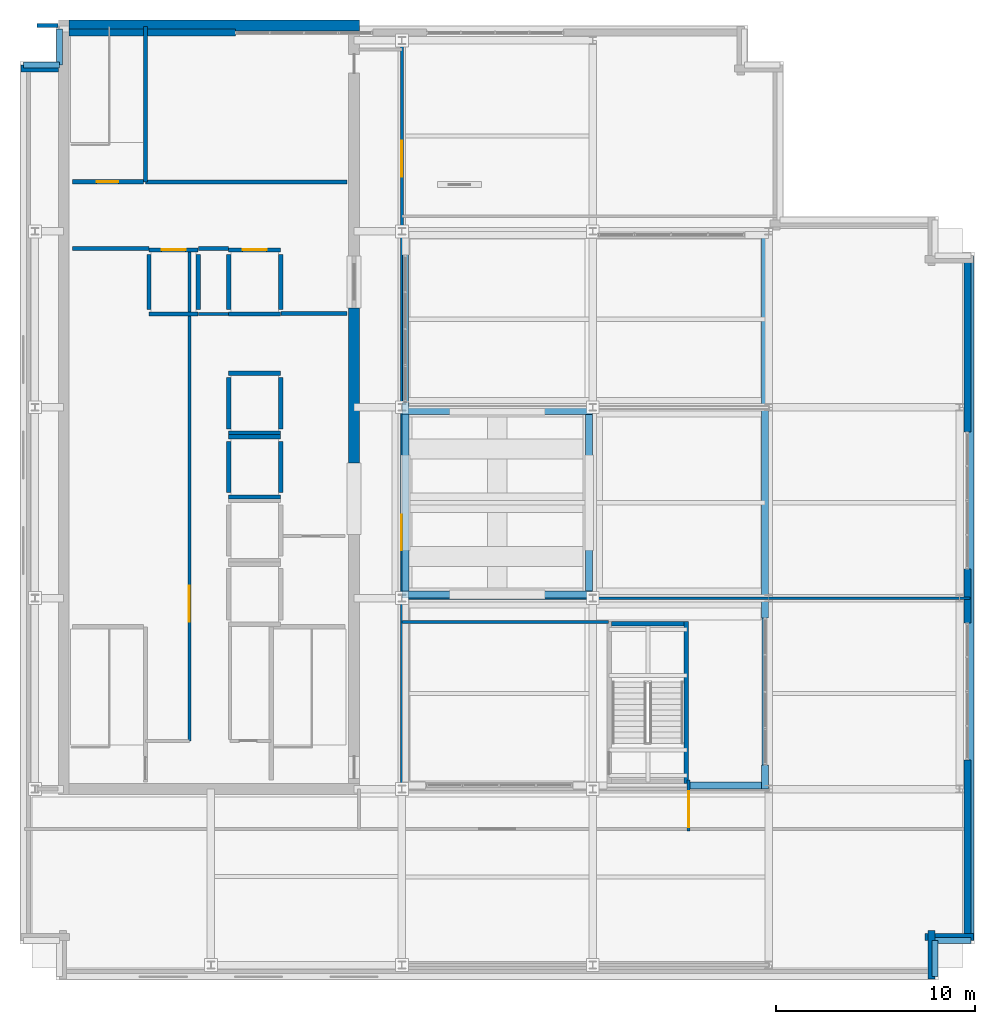
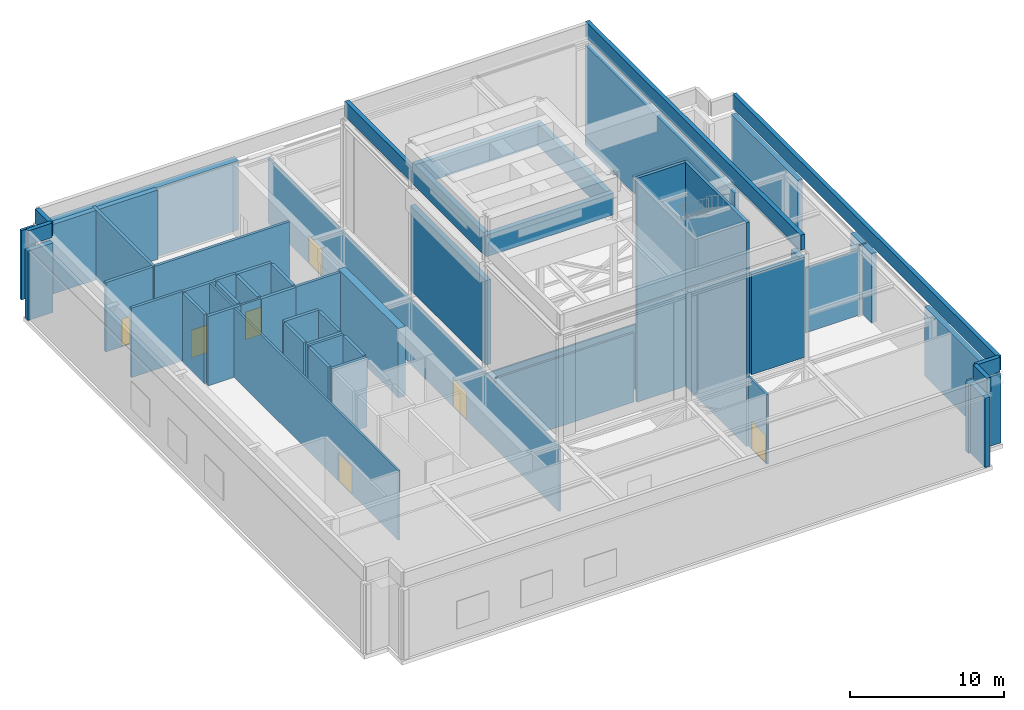
# One storey, part 6 of 17: 56 walls, 7 doors, 7 openings.
"""IFC4 building model written with IfcOpenShell, lengths in metres."""

from ifc_helpers import new_model, si_unit, direction, frame, frame_2d, origin, place, context, subcontext, project, spatial, rectangle, extrude, material, layer, layer_set, type_object, element, fill, save


model = new_model("IFC4")

# Units and contexts
model_context = context("Model", 3, precision=1e-05, world=origin(), true_north=direction((0.0, 1.0)))
body_context = subcontext(model_context, "Body", "Model", "MODEL_VIEW")
ifc_project = project(units=[si_unit("LENGTHUNIT", "METRE"), si_unit("AREAUNIT", "SQUARE_METRE"), si_unit("VOLUMEUNIT", "CUBIC_METRE"), si_unit("PLANEANGLEUNIT", "RADIAN"), si_unit("MASSUNIT", "GRAM", prefix="KILO")], contexts=[model_context])

# Site, building, storey
site_placement = place(None, origin())
site = spatial("IfcSite", under=ifc_project, at=site_placement, CompositionType="ELEMENT")
building_placement = place(site_placement, origin())
building = spatial("IfcBuilding", under=site, at=building_placement, Name="Norrvale University Quadrangle", CompositionType="ELEMENT")
storey_placement = place(building_placement, frame((0.0, 0.0, 308.0)))
storey = spatial("IfcBuildingStorey", under=building, at=storey_placement, Name="L78", CompositionType="ELEMENT", Elevation=308.0)

# Walls
ifc_material_1 = material(Name="Concrete C60/75", Category="concrete")
ifc_layer_1 = layer(ifc_material_1, 0.550048828125, Name="Concrete C60/75")
ifc_layer_set_1 = layer_set([ifc_layer_1], Name="Concrete C60/75")
wall_type_1 = type_object("IfcWallType", Name="Wall Core 550", PredefinedType="SHEAR", material=ifc_layer_set_1)
wall_1_placement = place(storey_placement, frame((2.47509765625, 48.0, 0.0), z_axis=(0.0, 0.0, 1.0), x_axis=(1.0, 0.0, 0.0)))
element("IfcWall", 1, at=wall_1_placement, inside=storey, type_object=wall_type_1, Name="Tower Core Shear Wall L78-N", PredefinedType="SHEAR", context=body_context, shape_type="SweptSolid", body=[
    extrude(rectangle(XDim=14.599853515625, YDim=0.550048828125, at=frame_2d((7.2998046875, 0.0))), origin(), (0.0, 0.0, 1.0), 5.52001953125),
])
wall_2_placement = place(storey_placement, frame((16.800048828125, 26.0, 0.0), z_axis=(0.0, 0.0, 1.0), x_axis=(0.0, 1.0, 0.0)))
element("IfcWall", 2, at=wall_2_placement, inside=storey, type_object=wall_type_1, Name="Tower Core Shear Wall L78-E2", PredefinedType="SHEAR", context=body_context, shape_type="SweptSolid", body=[
    extrude(rectangle(XDim=7.800048828125, YDim=0.550048828125, at=frame_2d((3.89990234375, 0.0))), origin(), (0.0, 0.0, 1.0), 5.52001953125),
])
ifc_material_2 = material(Name="Red Manganese Brick Masonry", Category="masonry")
ifc_layer_2 = layer(ifc_material_2, 0.360107421875, Name="Red Manganese Brick Masonry")
ifc_layer_set_2 = layer_set([ifc_layer_2], Name="Red Manganese Brick Masonry")
wall_type_2 = type_object("IfcWallType", Name="Wall Crown Brick 360", PredefinedType="SOLIDWALL", material=ifc_layer_set_2)
for number, where, z_axis, x_axis, name in (
    (3, (45.840087890625, 0.0400390625, 0.0), (0.0, 0.0, 1.0), (0.0, 1.0, 0.0), "Exterior Brick Facade Wall L78-02.1"),
    (4, (45.52001953125, 2.159912109375, 0.0), (0.0, 0.0, 1.0), (1.0, 0.0, 0.0), "Exterior Brick Facade Wall L78-03.1"),
):
    element("IfcWall", number, at=place(storey_placement, frame(where, z_axis=z_axis, x_axis=x_axis)), inside=storey, type_object=wall_type_2, Name=name, PredefinedType="SOLIDWALL", context=body_context, shape_type="SweptSolid", body=[
        extrude(rectangle(XDim=2.43994140625, YDim=0.360107421875, at=frame_2d((1.219970703125, 0.0))), origin(), (0.0, 0.0, 1.0), 5.52001953125),
    ])
wall_3_placement = place(storey_placement, frame((47.639892578125, 2.159912109375, 0.0), z_axis=(0.0, 0.0, 1.0), x_axis=(0.0, 1.0, 0.0)))
element("IfcWall", 5, at=wall_3_placement, inside=storey, type_object=wall_type_2, Name="Crown Brick Pier 04.1", PredefinedType="SOLIDWALL", context=body_context, shape_type="SweptSolid", body=[
    extrude(rectangle(XDim=8.900146484375, YDim=0.360107421875, at=frame_2d((4.4501953125, 0.0))), origin(), (0.0, 0.0, 1.0), 5.52001953125),
])
wall_4_placement = place(storey_placement, frame((47.639892578125, 17.9599609375, 0.0), z_axis=(0.0, 0.0, 1.0), x_axis=(0.0, 1.0, 0.0)))
element("IfcWall", 6, at=wall_4_placement, inside=storey, type_object=wall_type_2, Name="Crown Brick Pier 04.2", PredefinedType="SOLIDWALL", context=body_context, shape_type="SweptSolid", body=[
    extrude(rectangle(XDim=2.699951171875, YDim=0.360107421875, at=frame_2d((1.35009765625, 0.0))), origin(), (0.0, 0.0, 1.0), 5.52001953125),
])
wall_5_placement = place(storey_placement, frame((47.639892578125, 27.56005859375, 0.0), z_axis=(0.0, 0.0, 1.0), x_axis=(0.0, 1.0, 0.0)))
element("IfcWall", 7, at=wall_5_placement, inside=storey, type_object=wall_type_2, Name="Crown Brick Pier 04.3", PredefinedType="SOLIDWALL", context=body_context, shape_type="SweptSolid", body=[
    extrude(rectangle(XDim=8.679931640625, YDim=0.360107421875, at=frame_2d((4.33984375, 0.0))), origin(), (0.0, 0.0, 1.0), 5.52001953125),
])
wall_6_placement = place(storey_placement, frame((10.840087890625, 47.639892578125, 0.0), z_axis=(0.0, 0.0, 1.0), x_axis=(-1.0, 0.0, 0.0)))
element("IfcWall", 8, at=wall_6_placement, inside=storey, type_object=wall_type_2, Name="Crown Brick Pier 11.3", PredefinedType="SOLIDWALL", context=body_context, shape_type="SweptSolid", body=[
    extrude(rectangle(XDim=8.364990234375, YDim=0.360107421875, at=frame_2d((4.1826171875, 0.0))), origin(), (0.0, 0.0, 1.0), 5.52001953125),
])
wall_7_placement = place(storey_placement, frame((1.925048828125, 45.840087890625, 0.0), z_axis=(0.0, 0.0, 1.0), x_axis=(-1.0, 0.0, 0.0)))
element("IfcWall", 9, at=wall_7_placement, inside=storey, type_object=wall_type_2, Name="Exterior Brick Facade Wall L78-13.1", PredefinedType="SOLIDWALL", context=body_context, shape_type="SweptSolid", body=[
    extrude(rectangle(XDim=1.885009765625, YDim=0.360107421875, at=frame_2d((0.9423828125, 0.0))), origin(), (0.0, 0.0, 1.0), 5.52001953125),
])
wall_8_placement = place(storey_placement, frame((33.6298828125, 9.780029296875, 5.800048828125), z_axis=(0.0, 0.0, 1.0), x_axis=(1.0, 0.0, 0.0)))
element("IfcWall", 10, at=wall_8_placement, inside=storey, type_object=wall_type_2, Name="Crown Lantern Brick Pier S2B", PredefinedType="SOLIDWALL", context=body_context, shape_type="SweptSolid", body=[
    extrude(rectangle(XDim=4.02001953125, YDim=0.360107421875, at=frame_2d((2.010009765625, 0.0))), origin(), (0.0, 0.0, 1.0), 7.9638671875),
])
wall_9_placement = place(storey_placement, frame((37.469970703125, 9.60009765625, 5.800048828125), z_axis=(0.0, 0.0, 1.0), x_axis=(0.0, 1.0, 0.0)))
element("IfcWall", 11, at=wall_9_placement, inside=storey, type_object=wall_type_2, Name="Crown Lantern Brick Pier E1", PredefinedType="SOLIDWALL", context=body_context, shape_type="SweptSolid", body=[
    extrude(rectangle(XDim=1.199951171875, YDim=0.360107421875, at=frame_2d((0.60009765625, 0.0))), origin(), (0.0, 0.0, 1.0), 7.9638671875),
])
wall_10_placement = place(storey_placement, frame((37.469970703125, 18.199951171875, 5.800048828125), z_axis=(0.0, 0.0, 1.0), x_axis=(0.0, 1.0, 0.0)))
element("IfcWall", 12, at=wall_10_placement, inside=storey, type_object=wall_type_2, Name="Crown Lantern Brick Pier E2", PredefinedType="SOLIDWALL", context=body_context, shape_type="SweptSolid", body=[
    extrude(rectangle(XDim=19.449951171875, YDim=0.360107421875, at=frame_2d((9.72509765625, 0.0))), origin(), (0.0, 0.0, 1.0), 7.9638671875),
])
wall_11_placement = place(storey_placement, frame((19.3798828125, 29.050048828125, 5.800048828125), z_axis=(0.0, 0.0, 1.0), x_axis=(0.0, -1.0, 0.0)))
element("IfcWall", 13, at=wall_11_placement, inside=storey, type_object=wall_type_2, Name="Crown Lantern Brick Pier W2", PredefinedType="SOLIDWALL", context=body_context, shape_type="SweptSolid", body=[
    extrude(rectangle(XDim=9.85009765625, YDim=0.360107421875, at=frame_2d((4.925048828125, 0.0))), origin(), (0.0, 0.0, 1.0), 6.719970703125),
])
for number, where, z_axis, x_axis, name in (
    (14, (19.199951171875, 19.3798828125, 14.39990234375), (0.0, 0.0, 1.0), (1.0, 0.0, 0.0), "Crown Spire Plinth Masonry Wall S"),
    (15, (28.6201171875, 19.199951171875, 14.39990234375), (0.0, 0.0, 1.0), (0.0, 1.0, 0.0), "Crown Spire Plinth Masonry Wall E"),
    (16, (28.800048828125, 28.6201171875, 14.39990234375), (0.0, 0.0, 1.0), (-1.0, 0.0, 0.0), "Crown Spire Plinth Masonry Wall N"),
    (17, (19.3798828125, 28.800048828125, 14.39990234375), (0.0, 0.0, 1.0), (0.0, -1.0, 0.0), "Crown Spire Plinth Masonry Wall W"),
):
    element("IfcWall", number, at=place(storey_placement, frame(where, z_axis=z_axis, x_axis=x_axis)), inside=storey, type_object=wall_type_2, Name=name, PredefinedType="SOLIDWALL", context=body_context, shape_type="SweptSolid", body=[
        extrude(rectangle(XDim=9.60009765625, YDim=0.360107421875, at=frame_2d((4.800048828125, 0.0))), origin(), (0.0, 0.0, 1.0), 1.72021484375),
    ])
ifc_material_3 = material(Name="Standard Academic Gypsum Partition")
ifc_layer_3 = layer(ifc_material_3, 0.125, Name="Standard Academic Gypsum Partition")
ifc_layer_set_3 = layer_set([ifc_layer_3], Name="Standard Academic Gypsum Partition")
wall_type_3 = type_object("IfcWallType", Name="Wall Gypsum Academic 125", PredefinedType="PARTITIONING", material=ifc_layer_set_3)
wall_12_placement = place(storey_placement, frame((19.199951171875, 19.199951171875, 0.0), z_axis=(0.0, 0.0, 1.0), x_axis=(1.0, 0.0, 0.0)))
element("IfcWall", 18, at=wall_12_placement, inside=storey, type_object=wall_type_3, Name="Interior Partition WL-L78-SUB-N", PredefinedType="PARTITIONING", context=body_context, shape_type="SweptSolid", body=[
    extrude(rectangle(XDim=28.050048828125, YDim=0.125, at=frame_2d((14.02490234375, 0.0))), origin(), (0.0, 0.0, 1.0), 5.1640625),
])
wall_13_placement = place(storey_placement, frame((47.25, 19.199951171875, 0.0), z_axis=(0.0, 0.0, 1.0), x_axis=(1.0, 0.0, 0.0)))
element("IfcWall", 19, at=wall_13_placement, inside=storey, type_object=wall_type_3, Name="Interior Partition WL-L78-SUB-N-B2", PredefinedType="PARTITIONING", context=body_context, shape_type="SweptSolid", body=[
    extrude(rectangle(XDim=0.530029296875, YDim=0.125, at=frame_2d((0.26513671875, 0.0))), origin(), (0.0, 0.0, 1.0), 5.52001953125),
])
ifc_material_4 = material(Name="Fire-Rated Gypsum Stud Partition")
ifc_layer_4 = layer(ifc_material_4, 0.14990234375, Name="Fire-Rated Gypsum Stud Partition")
ifc_layer_set_4 = layer_set([ifc_layer_4], Name="Fire-Rated Gypsum Stud Partition")
wall_type_4 = type_object("IfcWallType", Name="Wall Gypsum Corridor 150", PredefinedType="PARTITIONING", material=ifc_layer_set_4)
wall_14_placement = place(storey_placement, frame((8.965087890625, 33.489990234375, 0.0), z_axis=(0.0, 0.0, 1.0), x_axis=(1.0, 0.0, 0.0)))
element("IfcWall", 20, at=wall_14_placement, inside=storey, type_object=wall_type_4, Name="Interior Partition WL-L78-LL3", PredefinedType="PARTITIONING", context=body_context, shape_type="SweptSolid", body=[
    extrude(rectangle(XDim=1.52001953125, YDim=0.14990234375, at=frame_2d((0.760009765625, 0.0))), origin(), (0.0, 0.0, 1.0), 5.52001953125),
])

# Wall, opening, door
wall_15_placement = place(storey_placement, frame((8.52001953125, 12.02001953125, 0.0), z_axis=(0.0, 0.0, 1.0), x_axis=(0.0, 1.0, 0.0)))
wall_15 = element("IfcWall", 21, at=wall_15_placement, inside=storey, type_object=wall_type_4, Name="Interior Partition WL-L78-REC-E", PredefinedType="PARTITIONING", context=body_context, shape_type="SweptSolid", body=[
    extrude(rectangle(XDim=24.760009765625, YDim=0.14990234375, at=frame_2d((12.3798828125, 0.0))), origin(), (0.0, 0.0, 1.0), 5.52001953125),
])
opening_1_placement = place(wall_15_placement, frame((6.0, 0.0, 0.0)))
opening_1 = element("IfcOpeningElement", 22, at=opening_1_placement, cuts=wall_15, Name="Opening D03", PredefinedType="OPENING", context=body_context, shape_type="SweptSolid", body=[
    extrude(rectangle(XDim=1.800048828125, YDim=2.199951171875, at=frame_2d((0.89990234375, 1.10009765625))), frame((0.0, 0.0869140625, 0.0), z_axis=(0.0, -1.0, 0.0), x_axis=(1.0, 0.0, 0.0)), (0.0, 0.0, 1.0), 0.173828125),
])
ifc_material_5 = material(Name="Hollow Steel 350W Fire Door", Category="steel")
door_type_1 = type_object("IfcDoorType", Name="Door Fire Lobby 1800x2200", OperationType="DOUBLE_DOOR_SINGLE_SWING", PredefinedType="DOOR", material=ifc_material_5)
door_1_placement = place(opening_1_placement, origin())
door_1 = element("IfcDoor", 23, at=door_1_placement, inside=storey, type_object=door_type_1, Name="Door Fire Lobby 1800x2200 DR-L78-RECP", OperationType="DOUBLE_DOOR_SINGLE_SWING", OverallHeight=2.199951171875, OverallWidth=1.800048828125, PredefinedType="DOOR", context=body_context, shape_type="SweptSolid", body=[
    extrude(rectangle(XDim=1.800048828125, YDim=2.199951171875, at=frame_2d((0.89990234375, 1.10009765625))), frame((0.0, 0.02490234375, 0.0), z_axis=(0.0, -1.0, 0.0), x_axis=(1.0, 0.0, 0.0)), (0.0, 0.0, 1.0), 0.050048828125),
])
fill(opening_1, door_1)

wall_16_placement = place(storey_placement, frame((33.6201171875, 7.5, 0.0), z_axis=(0.0, 0.0, 1.0), x_axis=(0.0, 1.0, 0.0)))
wall_16 = element("IfcWall", 24, at=wall_16_placement, inside=storey, type_object=wall_type_4, Name="Interior Partition WL-L78-CHW", PredefinedType="PARTITIONING", context=body_context, shape_type="SweptSolid", body=[
    extrude(rectangle(XDim=2.550048828125, YDim=0.14990234375, at=frame_2d((1.27490234375, 0.0))), origin(), (0.0, 0.0, 1.0), 5.52001953125),
])
opening_2_placement = place(wall_16_placement, frame((0.179931640625, 0.0, 0.0)))
opening_2 = element("IfcOpeningElement", 25, at=opening_2_placement, cuts=wall_16, Name="Opening D03", PredefinedType="OPENING", context=body_context, shape_type="SweptSolid", body=[
    extrude(rectangle(XDim=1.800048828125, YDim=2.199951171875, at=frame_2d((0.89990234375, 1.10009765625))), frame((0.0, 0.0869140625, 0.0), z_axis=(0.0, -1.0, 0.0), x_axis=(1.0, 0.0, 0.0)), (0.0, 0.0, 1.0), 0.173828125),
])
door_2_placement = place(opening_2_placement, origin())
door_2 = element("IfcDoor", 26, at=door_2_placement, inside=storey, type_object=door_type_1, Name="Door Fire Lobby 1800x2200 DR-L78-CHIL2", OperationType="DOUBLE_DOOR_SINGLE_SWING", OverallHeight=2.199951171875, OverallWidth=1.800048828125, PredefinedType="DOOR", context=body_context, shape_type="SweptSolid", body=[
    extrude(rectangle(XDim=1.800048828125, YDim=2.199951171875, at=frame_2d((0.89990234375, 1.10009765625))), frame((0.0, 0.02490234375, 0.0), z_axis=(0.0, -1.0, 0.0), x_axis=(1.0, 0.0, 0.0)), (0.0, 0.0, 1.0), 0.050048828125),
])
fill(opening_2, door_2)

# Wall
wall_17_placement = place(storey_placement, frame((19.199951171875, 18.0, 0.0), z_axis=(0.0, 0.0, 1.0), x_axis=(1.0, 0.0, 0.0)))
element("IfcWall", 27, at=wall_17_placement, inside=storey, type_object=wall_type_4, Name="Interior Partition WL-L78-SUBS", PredefinedType="PARTITIONING", context=body_context, shape_type="SweptSolid", body=[
    extrude(rectangle(XDim=10.400146484375, YDim=0.14990234375, at=frame_2d((5.2001953125, 0.0))), origin(), (0.0, 0.0, 1.0), 5.52001953125),
])

# Wall, openings, doors
wall_18_placement = place(storey_placement, frame((19.199951171875, 9.60009765625, 0.0), z_axis=(0.0, 0.0, 1.0), x_axis=(0.0, 1.0, 0.0)))
wall_18 = element("IfcWall", 28, at=wall_18_placement, inside=storey, type_object=wall_type_4, Name="Interior Partition WL-L78-PE-W", PredefinedType="PARTITIONING", context=body_context, shape_type="SweptSolid", body=[
    extrude(rectangle(XDim=37.849853515625, YDim=0.14990234375, at=frame_2d((18.9248046875, 0.0))), origin(), (0.0, 0.0, 1.0), 5.1640625),
])
opening_3_placement = place(wall_18_placement, frame((12.0, 0.0, 0.0)))
opening_3 = element("IfcOpeningElement", 29, at=opening_3_placement, cuts=wall_18, Name="Opening D03", PredefinedType="OPENING", context=body_context, shape_type="SweptSolid", body=[
    extrude(rectangle(XDim=1.800048828125, YDim=2.199951171875, at=frame_2d((0.89990234375, 1.10009765625))), frame((0.0, 0.0869140625, 0.0), z_axis=(0.0, -1.0, 0.0), x_axis=(1.0, 0.0, 0.0)), (0.0, 0.0, 1.0), 0.173828125),
])
opening_4_placement = place(wall_18_placement, frame((30.800048828125, 0.0, 0.0)))
opening_4 = element("IfcOpeningElement", 30, at=opening_4_placement, cuts=wall_18, Name="Opening D03", PredefinedType="OPENING", context=body_context, shape_type="SweptSolid", body=[
    extrude(rectangle(XDim=1.800048828125, YDim=2.199951171875, at=frame_2d((0.89990234375, 1.10009765625))), frame((0.0, 0.0869140625, 0.0), z_axis=(0.0, -1.0, 0.0), x_axis=(1.0, 0.0, 0.0)), (0.0, 0.0, 1.0), 0.173828125),
])
door_3_placement = place(opening_3_placement, origin())
door_3 = element("IfcDoor", 31, at=door_3_placement, inside=storey, type_object=door_type_1, Name="Door Fire Lobby 1800x2200 DR-L78-AHU", OperationType="DOUBLE_DOOR_SINGLE_SWING", OverallHeight=2.199951171875, OverallWidth=1.800048828125, PredefinedType="DOOR", context=body_context, shape_type="SweptSolid", body=[
    extrude(rectangle(XDim=1.800048828125, YDim=2.199951171875, at=frame_2d((0.89990234375, 1.10009765625))), frame((0.0, 0.02490234375, 0.0), z_axis=(0.0, -1.0, 0.0), x_axis=(1.0, 0.0, 0.0)), (0.0, 0.0, 1.0), 0.050048828125),
])
fill(opening_3, door_3)
door_4_placement = place(opening_4_placement, origin())
door_4 = element("IfcDoor", 32, at=door_4_placement, inside=storey, type_object=door_type_1, Name="Door Fire Lobby 1800x2200 DR-L78-CFAN", OperationType="DOUBLE_DOOR_SINGLE_SWING", OverallHeight=2.199951171875, OverallWidth=1.800048828125, PredefinedType="DOOR", context=body_context, shape_type="SweptSolid", body=[
    extrude(rectangle(XDim=1.800048828125, YDim=2.199951171875, at=frame_2d((0.89990234375, 1.10009765625))), frame((0.0, 0.02490234375, 0.0), z_axis=(0.0, -1.0, 0.0), x_axis=(1.0, 0.0, 0.0)), (0.0, 0.0, 1.0), 0.050048828125),
])
fill(opening_4, door_4)

# Walls
ifc_material_6 = material(Name="Concrete Blockwork 20 MPa Rated Wall", Category="masonry")
ifc_layer_5 = layer(ifc_material_6, 0.199951171875, Name="Concrete Blockwork 20 MPa Rated Wall")
ifc_layer_set_5 = layer_set([ifc_layer_5], Name="Concrete Blockwork 20 MPa Rated Wall")
wall_type_5 = type_object("IfcWallType", Name="Wall Lobby 200", PredefinedType="SOLIDWALL", material=ifc_layer_set_5)
wall_19_placement = place(storey_placement, frame((2.64990234375, 36.780029296875, 0.0), z_axis=(0.0, 0.0, 1.0), x_axis=(1.0, 0.0, 0.0)))
element("IfcWall", 33, at=wall_19_placement, inside=storey, type_object=wall_type_5, Name="Interior Partition WL-L78-FF1", PredefinedType="SOLIDWALL", context=body_context, shape_type="SweptSolid", body=[
    extrude(rectangle(XDim=3.830078125, YDim=0.199951171875, at=frame_2d((1.9150390625, 0.0))), origin(), (0.0, 0.0, 1.0), 5.52001953125),
])
wall_20_placement = place(storey_placement, frame((8.969970703125, 36.780029296875, 0.0), z_axis=(0.0, 0.0, 1.0), x_axis=(1.0, 0.0, 0.0)))
element("IfcWall", 34, at=wall_20_placement, inside=storey, type_object=wall_type_5, Name="Interior Partition WL-L78-FF2", PredefinedType="SOLIDWALL", context=body_context, shape_type="SweptSolid", body=[
    extrude(rectangle(XDim=1.510009765625, YDim=0.199951171875, at=frame_2d((0.7548828125, 0.0))), origin(), (0.0, 0.0, 1.0), 5.52001953125),
])
wall_21_placement = place(storey_placement, frame((13.1201171875, 33.52001953125, 0.0), z_axis=(0.0, 0.0, 1.0), x_axis=(1.0, 0.0, 0.0)))
element("IfcWall", 35, at=wall_21_placement, inside=storey, type_object=wall_type_5, Name="Interior Partition WL-L78-FF3", PredefinedType="SOLIDWALL", context=body_context, shape_type="SweptSolid", body=[
    extrude(rectangle(XDim=3.329833984375, YDim=0.199951171875, at=frame_2d((1.6650390625, 0.0))), origin(), (0.0, 0.0, 1.0), 5.52001953125),
])
wall_22_placement = place(storey_placement, frame((6.320068359375, 40.139892578125, 0.0), z_axis=(0.0, 0.0, 1.0), x_axis=(1.0, 0.0, 0.0)))
element("IfcWall", 36, at=wall_22_placement, inside=storey, type_object=wall_type_5, Name="Interior Partition WL-L78-FF4", PredefinedType="SOLIDWALL", context=body_context, shape_type="SweptSolid", body=[
    extrude(rectangle(XDim=10.1298828125, YDim=0.199951171875, at=frame_2d((5.06494140625, 0.0))), origin(), (0.0, 0.0, 1.0), 5.52001953125),
])
wall_23_placement = place(storey_placement, frame((0.85009765625, 48.0, 0.0), z_axis=(0.0, 0.0, 1.0), x_axis=(1.0, 0.0, 0.0)))
element("IfcWall", 37, at=wall_23_placement, inside=storey, type_object=wall_type_5, Name="Interior Partition WL-L78-CWRET-N", PredefinedType="SOLIDWALL", context=body_context, shape_type="SweptSolid", body=[
    extrude(rectangle(XDim=1.06982421875, YDim=0.199951171875, at=frame_2d((0.534912109375, 0.0))), origin(), (0.0, 0.0, 1.0), 5.52001953125),
])
ifc_material_7 = material(Name="Buff Norman Clay Brick Masonry", Category="masonry")
ifc_layer_6 = layer(ifc_material_7, 0.300048828125, Name="Buff Norman Clay Brick Masonry")
ifc_layer_set_6 = layer_set([ifc_layer_6], Name="Buff Norman Clay Brick Masonry")
wall_type_6 = type_object("IfcWallType", Name="Wall Parapet 300", PredefinedType="PARAPET", material=ifc_layer_set_6)
for number, where, z_axis, x_axis, name in (
    (38, (46.02001953125, 0.179931640625, 5.800048828125), (0.0, 0.0, 1.0), (0.0, 1.0, 0.0), "Crown Lower Deck Parapet 02"),
    (39, (46.02001953125, 1.97998046875, 5.800048828125), (0.0, 0.0, 1.0), (1.0, 0.0, 0.0), "Crown Lower Deck Parapet 03"),
):
    element("IfcWall", number, at=place(storey_placement, frame(where, z_axis=z_axis, x_axis=x_axis)), inside=storey, type_object=wall_type_6, Name=name, PredefinedType="PARAPET", context=body_context, shape_type="SweptSolid", body=[
        extrude(rectangle(XDim=1.800048828125, YDim=0.300048828125, at=frame_2d((0.89990234375, 0.0))), origin(), (0.0, 0.0, 1.0), 1.14990234375),
    ])
wall_24_placement = place(storey_placement, frame((47.820068359375, 1.97998046875, 5.800048828125), z_axis=(0.0, 0.0, 1.0), x_axis=(0.0, 1.0, 0.0)))
element("IfcWall", 40, at=wall_24_placement, inside=storey, type_object=wall_type_6, Name="Crown Lower Deck Parapet 04", PredefinedType="PARAPET", context=body_context, shape_type="SweptSolid", body=[
    extrude(rectangle(XDim=34.43994140625, YDim=0.300048828125, at=frame_2d((17.219970703125, 0.0))), origin(), (0.0, 0.0, 1.0), 1.14990234375),
])
for number, where, z_axis, x_axis, name in (
    (41, (1.97998046875, 47.820068359375, 5.800048828125), (0.0, 0.0, 1.0), (0.0, -1.0, 0.0), "Crown Lower Deck Parapet 12"),
    (42, (1.97998046875, 46.02001953125, 5.800048828125), (0.0, 0.0, 1.0), (-1.0, 0.0, 0.0), "Crown Lower Deck Parapet 13"),
):
    element("IfcWall", number, at=place(storey_placement, frame(where, z_axis=z_axis, x_axis=x_axis)), inside=storey, type_object=wall_type_6, Name=name, PredefinedType="PARAPET", context=body_context, shape_type="SweptSolid", body=[
        extrude(rectangle(XDim=1.800048828125, YDim=0.300048828125, at=frame_2d((0.89990234375, 0.0))), origin(), (0.0, 0.0, 1.0), 1.14990234375),
    ])
wall_25_placement = place(storey_placement, frame((37.469970703125, 9.60009765625, 14.39990234375), z_axis=(0.0, 0.0, 1.0), x_axis=(0.0, 1.0, 0.0)))
element("IfcWall", 43, at=wall_25_placement, inside=storey, type_object=wall_type_6, Name="Crown Lantern Parapet E", PredefinedType="PARAPET", context=body_context, shape_type="SweptSolid", body=[
    extrude(rectangle(XDim=28.0498046875, YDim=0.300048828125, at=frame_2d((14.02490234375, 0.0))), origin(), (0.0, 0.0, 1.0), 1.2001953125),
])
wall_26_placement = place(storey_placement, frame((19.3798828125, 37.64990234375, 14.39990234375), z_axis=(0.0, 0.0, 1.0), x_axis=(0.0, -1.0, 0.0)))
element("IfcWall", 44, at=wall_26_placement, inside=storey, type_object=wall_type_6, Name="Crown Lantern Parapet W1", PredefinedType="PARAPET", context=body_context, shape_type="SweptSolid", body=[
    extrude(rectangle(XDim=8.844970703125, YDim=0.300048828125, at=frame_2d((4.42236328125, 0.0))), origin(), (0.0, 0.0, 1.0), 1.2001953125),
])

# Wall, opening, door
ifc_material_8 = material(Name="Concrete Blockwork 20 MPa Fire Shaft", Category="masonry")
ifc_layer_7 = layer(ifc_material_8, 0.219970703125, Name="Concrete Blockwork 20 MPa Fire Shaft")
ifc_layer_set_7 = layer_set([ifc_layer_7], Name="Concrete Blockwork 20 MPa Fire Shaft")
wall_type_7 = type_object("IfcWallType", Name="Wall Shaft 220", PredefinedType="SOLIDWALL", material=ifc_layer_set_7)
wall_27_placement = place(storey_placement, frame((2.64990234375, 40.139892578125, 0.0), z_axis=(0.0, 0.0, 1.0), x_axis=(1.0, 0.0, 0.0)))
wall_27 = element("IfcWall", 45, at=wall_27_placement, inside=storey, type_object=wall_type_7, Name="Stair ST-02 South Shaft Wall L78", PredefinedType="SOLIDWALL", context=body_context, shape_type="SweptSolid", body=[
    extrude(rectangle(XDim=3.550048828125, YDim=0.219970703125, at=frame_2d((1.77490234375, 0.0))), origin(), (0.0, 0.0, 1.0), 5.52001953125),
])
opening_5_placement = place(wall_27_placement, frame((1.199951171875, 0.0, 0.0)))
opening_5 = element("IfcOpeningElement", 46, at=opening_5_placement, cuts=wall_27, Name="Opening D02", PredefinedType="OPENING", context=body_context, shape_type="SweptSolid", body=[
    extrude(rectangle(XDim=1.10009765625, YDim=2.199951171875, at=frame_2d((0.550048828125, 1.10009765625))), frame((0.0, 0.1220703125, 0.0), z_axis=(0.0, -1.0, 0.0), x_axis=(1.0, 0.0, 0.0)), (0.0, 0.0, 1.0), 0.243896484375),
])
door_type_2 = type_object("IfcDoorType", Name="Door Stair Exit 1100x2200", OperationType="NOTDEFINED", PredefinedType="DOOR", material=ifc_material_5)
door_5_placement = place(opening_5_placement, origin())
door_5 = element("IfcDoor", 47, at=door_5_placement, inside=storey, type_object=door_type_2, Name="Door Stair Exit 1100x2200 DR-L78-ST02", OperationType="SINGLE_SWING_LEFT", OverallHeight=2.199951171875, OverallWidth=1.10009765625, PredefinedType="DOOR", context=body_context, shape_type="SweptSolid", body=[
    extrude(rectangle(XDim=1.10009765625, YDim=2.199951171875, at=frame_2d((0.550048828125, 1.10009765625))), frame((0.0, 0.02490234375, 0.0), z_axis=(0.0, -1.0, 0.0), x_axis=(1.0, 0.0, 0.0)), (0.0, 0.0, 1.0), 0.050048828125),
])
fill(opening_5, door_5)

# Walls
wall_28_placement = place(storey_placement, frame((6.31005859375, 40.139892578125, 0.0), z_axis=(0.0, 0.0, 1.0), x_axis=(0.0, 1.0, 0.0)))
element("IfcWall", 48, at=wall_28_placement, inside=storey, type_object=wall_type_7, Name="Stair ST-02 East Shaft Wall L78", PredefinedType="SOLIDWALL", context=body_context, shape_type="SweptSolid", body=[
    extrude(rectangle(XDim=7.81005859375, YDim=0.219970703125, at=frame_2d((3.905029296875, 0.0))), origin(), (0.0, 0.0, 1.0), 5.52001953125),
])
wall_29_placement = place(storey_placement, frame((33.510009765625, 9.8798828125, 0.0), z_axis=(0.0, 0.0, 1.0), x_axis=(0.0, 1.0, 0.0)))
element("IfcWall", 49, at=wall_29_placement, inside=storey, type_object=wall_type_7, Name="Stair ST-04 East Shaft Wall L78", PredefinedType="SOLIDWALL", context=body_context, shape_type="SweptSolid", body=[
    extrude(rectangle(XDim=8.14013671875, YDim=0.219970703125, at=frame_2d((4.070068359375, 0.0))), origin(), (0.0, 0.0, 1.0), 17.800048828125),
])
wall_30_placement = place(storey_placement, frame((29.75, 17.909912109375, 0.0), z_axis=(0.0, 0.0, 1.0), x_axis=(1.0, 0.0, 0.0)))
element("IfcWall", 50, at=wall_30_placement, inside=storey, type_object=wall_type_7, Name="Stair ST-04 North Shaft Wall L78", PredefinedType="SOLIDWALL", context=body_context, shape_type="SweptSolid", body=[
    extrude(rectangle(XDim=3.64990234375, YDim=0.219970703125, at=frame_2d((1.824951171875, 0.0))), origin(), (0.0, 0.0, 1.0), 17.800048828125),
])
for number, where, z_axis, x_axis, name in (
    (51, (10.489990234375, 24.510009765625, 0.0), (0.0, 0.0, 1.0), (0.0, 1.0, 0.0), "Hoistway PL-07 West Wall L78"),
    (52, (13.110107421875, 24.510009765625, 0.0), (0.0, 0.0, 1.0), (0.0, 1.0, 0.0), "Hoistway PL-07 East Wall L78"),
):
    element("IfcWall", number, at=place(storey_placement, frame(where, z_axis=z_axis, x_axis=x_axis)), inside=storey, type_object=wall_type_7, Name=name, PredefinedType="SOLIDWALL", context=body_context, shape_type="SweptSolid", body=[
        extrude(rectangle(XDim=2.580078125, YDim=0.219970703125, at=frame_2d((1.2900390625, 0.0))), origin(), (0.0, 0.0, 1.0), 5.52001953125),
    ])
for number, where, z_axis, x_axis, name in (
    (53, (10.489990234375, 24.2900390625, 0.0), (0.0, 0.0, 1.0), (1.0, 0.0, 0.0), "Hoistway PL-07 South Wall L78"),
    (54, (10.489990234375, 27.31005859375, 0.0), (0.0, 0.0, 1.0), (1.0, 0.0, 0.0), "Hoistway PL-07 North Wall L78"),
):
    element("IfcWall", number, at=place(storey_placement, frame(where, z_axis=z_axis, x_axis=x_axis)), inside=storey, type_object=wall_type_7, Name=name, PredefinedType="SOLIDWALL", context=body_context, shape_type="SweptSolid", body=[
        extrude(rectangle(XDim=2.6201171875, YDim=0.219970703125, at=frame_2d((1.31005859375, 0.0))), origin(), (0.0, 0.0, 1.0), 5.52001953125),
    ])
for number, where, z_axis, x_axis, name in (
    (55, (10.489990234375, 27.7099609375, 0.0), (0.0, 0.0, 1.0), (0.0, 1.0, 0.0), "Hoistway PL-08 West Wall L78"),
    (56, (13.110107421875, 27.7099609375, 0.0), (0.0, 0.0, 1.0), (0.0, 1.0, 0.0), "Hoistway PL-08 East Wall L78"),
):
    element("IfcWall", number, at=place(storey_placement, frame(where, z_axis=z_axis, x_axis=x_axis)), inside=storey, type_object=wall_type_7, Name=name, PredefinedType="SOLIDWALL", context=body_context, shape_type="SweptSolid", body=[
        extrude(rectangle(XDim=2.580078125, YDim=0.219970703125, at=frame_2d((1.2900390625, 0.0))), origin(), (0.0, 0.0, 1.0), 5.52001953125),
    ])
for number, where, z_axis, x_axis, name in (
    (57, (10.489990234375, 27.489990234375, 0.0), (0.0, 0.0, 1.0), (1.0, 0.0, 0.0), "Hoistway PL-08 South Wall L78"),
    (58, (10.489990234375, 30.510009765625, 0.0), (0.0, 0.0, 1.0), (1.0, 0.0, 0.0), "Hoistway PL-08 North Wall L78"),
):
    element("IfcWall", number, at=place(storey_placement, frame(where, z_axis=z_axis, x_axis=x_axis)), inside=storey, type_object=wall_type_7, Name=name, PredefinedType="SOLIDWALL", context=body_context, shape_type="SweptSolid", body=[
        extrude(rectangle(XDim=2.6201171875, YDim=0.219970703125, at=frame_2d((1.31005859375, 0.0))), origin(), (0.0, 0.0, 1.0), 5.52001953125),
    ])
for number, where, z_axis, x_axis, name in (
    (59, (6.489990234375, 33.7099609375, 0.0), (0.0, 0.0, 1.0), (0.0, 1.0, 0.0), "Hoistway FFL-01 West Wall L78"),
    (60, (8.9599609375, 33.7099609375, 0.0), (0.0, 0.0, 1.0), (0.0, 1.0, 0.0), "Hoistway FFL-01 East Wall L78"),
):
    element("IfcWall", number, at=place(storey_placement, frame(where, z_axis=z_axis, x_axis=x_axis)), inside=storey, type_object=wall_type_7, Name=name, PredefinedType="SOLIDWALL", context=body_context, shape_type="SweptSolid", body=[
        extrude(rectangle(XDim=2.780029296875, YDim=0.219970703125, at=frame_2d((1.39013671875, 0.0))), origin(), (0.0, 0.0, 1.0), 5.52001953125),
    ])
wall_31_placement = place(storey_placement, frame((6.489990234375, 33.489990234375, 0.0), z_axis=(0.0, 0.0, 1.0), x_axis=(1.0, 0.0, 0.0)))
element("IfcWall", 61, at=wall_31_placement, inside=storey, type_object=wall_type_7, Name="Hoistway FFL-01 South Wall L78", PredefinedType="SOLIDWALL", context=body_context, shape_type="SweptSolid", body=[
    extrude(rectangle(XDim=2.469970703125, YDim=0.219970703125, at=frame_2d((1.23486328125, 0.0))), origin(), (0.0, 0.0, 1.0), 5.52001953125),
])

# Wall, opening, door
wall_32_placement = place(storey_placement, frame((6.489990234375, 36.7099609375, 0.0), z_axis=(0.0, 0.0, 1.0), x_axis=(1.0, 0.0, 0.0)))
wall_32 = element("IfcWall", 62, at=wall_32_placement, inside=storey, type_object=wall_type_7, Name="Hoistway FFL-01 North Wall L78", PredefinedType="SOLIDWALL", context=body_context, shape_type="SweptSolid", body=[
    extrude(rectangle(XDim=2.469970703125, YDim=0.219970703125, at=frame_2d((1.23486328125, 0.0))), origin(), (0.0, 0.0, 1.0), 5.52001953125),
])
opening_6_placement = place(wall_32_placement, frame((0.635009765625, 0.0, 0.0)))
opening_6 = element("IfcOpeningElement", 63, at=opening_6_placement, cuts=wall_32, Name="Opening LD2", PredefinedType="OPENING", context=body_context, shape_type="SweptSolid", body=[
    extrude(rectangle(XDim=1.199951171875, YDim=2.199951171875, at=frame_2d((0.60009765625, 1.10009765625))), frame((0.0, 0.1220703125, 0.0), z_axis=(0.0, -1.0, 0.0), x_axis=(1.0, 0.0, 0.0)), (0.0, 0.0, 1.0), 0.243896484375),
])
ifc_material_9 = material(Name="Stainless Steel 316L Firefighter Lift Door", Category="steel")
door_type_3 = type_object("IfcDoorType", Name="Door Fire Lift 1200x2200", OperationType="DOUBLE_DOOR_SLIDING", PredefinedType="DOOR", material=ifc_material_9)
door_6_placement = place(opening_6_placement, origin())
door_6 = element("IfcDoor", 64, at=door_6_placement, inside=storey, type_object=door_type_3, Name="Elevator Landing Door DR-L78-FFL-01", OperationType="DOUBLE_DOOR_SLIDING", OverallHeight=2.199951171875, OverallWidth=1.199951171875, PredefinedType="DOOR", context=body_context, shape_type="SweptSolid", body=[
    extrude(rectangle(XDim=1.199951171875, YDim=2.199951171875, at=frame_2d((0.60009765625, 1.10009765625))), frame((0.0, 0.02490234375, 0.0), z_axis=(0.0, -1.0, 0.0), x_axis=(1.0, 0.0, 0.0)), (0.0, 0.0, 1.0), 0.050048828125),
])
fill(opening_6, door_6)

# Walls
for number, where, z_axis, x_axis, name in (
    (65, (10.489990234375, 33.7099609375, 0.0), (0.0, 0.0, 1.0), (0.0, 1.0, 0.0), "Hoistway FFL-02 West Wall L78"),
    (66, (13.110107421875, 33.7099609375, 0.0), (0.0, 0.0, 1.0), (0.0, 1.0, 0.0), "Hoistway FFL-02 East Wall L78"),
):
    element("IfcWall", number, at=place(storey_placement, frame(where, z_axis=z_axis, x_axis=x_axis)), inside=storey, type_object=wall_type_7, Name=name, PredefinedType="SOLIDWALL", context=body_context, shape_type="SweptSolid", body=[
        extrude(rectangle(XDim=2.780029296875, YDim=0.219970703125, at=frame_2d((1.39013671875, 0.0))), origin(), (0.0, 0.0, 1.0), 5.52001953125),
    ])
wall_33_placement = place(storey_placement, frame((10.489990234375, 33.489990234375, 0.0), z_axis=(0.0, 0.0, 1.0), x_axis=(1.0, 0.0, 0.0)))
element("IfcWall", 67, at=wall_33_placement, inside=storey, type_object=wall_type_7, Name="Hoistway FFL-02 South Wall L78", PredefinedType="SOLIDWALL", context=body_context, shape_type="SweptSolid", body=[
    extrude(rectangle(XDim=2.6201171875, YDim=0.219970703125, at=frame_2d((1.31005859375, 0.0))), origin(), (0.0, 0.0, 1.0), 5.52001953125),
])

# Wall, opening, door
wall_34_placement = place(storey_placement, frame((10.489990234375, 36.7099609375, 0.0), z_axis=(0.0, 0.0, 1.0), x_axis=(1.0, 0.0, 0.0)))
wall_34 = element("IfcWall", 68, at=wall_34_placement, inside=storey, type_object=wall_type_7, Name="Hoistway FFL-02 North Wall L78", PredefinedType="SOLIDWALL", context=body_context, shape_type="SweptSolid", body=[
    extrude(rectangle(XDim=2.6201171875, YDim=0.219970703125, at=frame_2d((1.31005859375, 0.0))), origin(), (0.0, 0.0, 1.0), 5.52001953125),
])
opening_7_placement = place(wall_34_placement, frame((0.7099609375, 0.0, 0.0)))
opening_7 = element("IfcOpeningElement", 69, at=opening_7_placement, cuts=wall_34, Name="Opening LD2", PredefinedType="OPENING", context=body_context, shape_type="SweptSolid", body=[
    extrude(rectangle(XDim=1.199951171875, YDim=2.199951171875, at=frame_2d((0.60009765625, 1.10009765625))), frame((0.0, 0.1220703125, 0.0), z_axis=(0.0, -1.0, 0.0), x_axis=(1.0, 0.0, 0.0)), (0.0, 0.0, 1.0), 0.243896484375),
])
door_7_placement = place(opening_7_placement, origin())
door_7 = element("IfcDoor", 70, at=door_7_placement, inside=storey, type_object=door_type_3, Name="Elevator Landing Door DR-L78-FFL-02", OperationType="DOUBLE_DOOR_SLIDING", OverallHeight=2.199951171875, OverallWidth=1.199951171875, PredefinedType="DOOR", context=body_context, shape_type="SweptSolid", body=[
    extrude(rectangle(XDim=1.199951171875, YDim=2.199951171875, at=frame_2d((0.60009765625, 1.10009765625))), frame((0.0, 0.02490234375, 0.0), z_axis=(0.0, -1.0, 0.0), x_axis=(1.0, 0.0, 0.0)), (0.0, 0.0, 1.0), 0.050048828125),
])
fill(opening_7, door_7)

save(model, "model.ifc")
